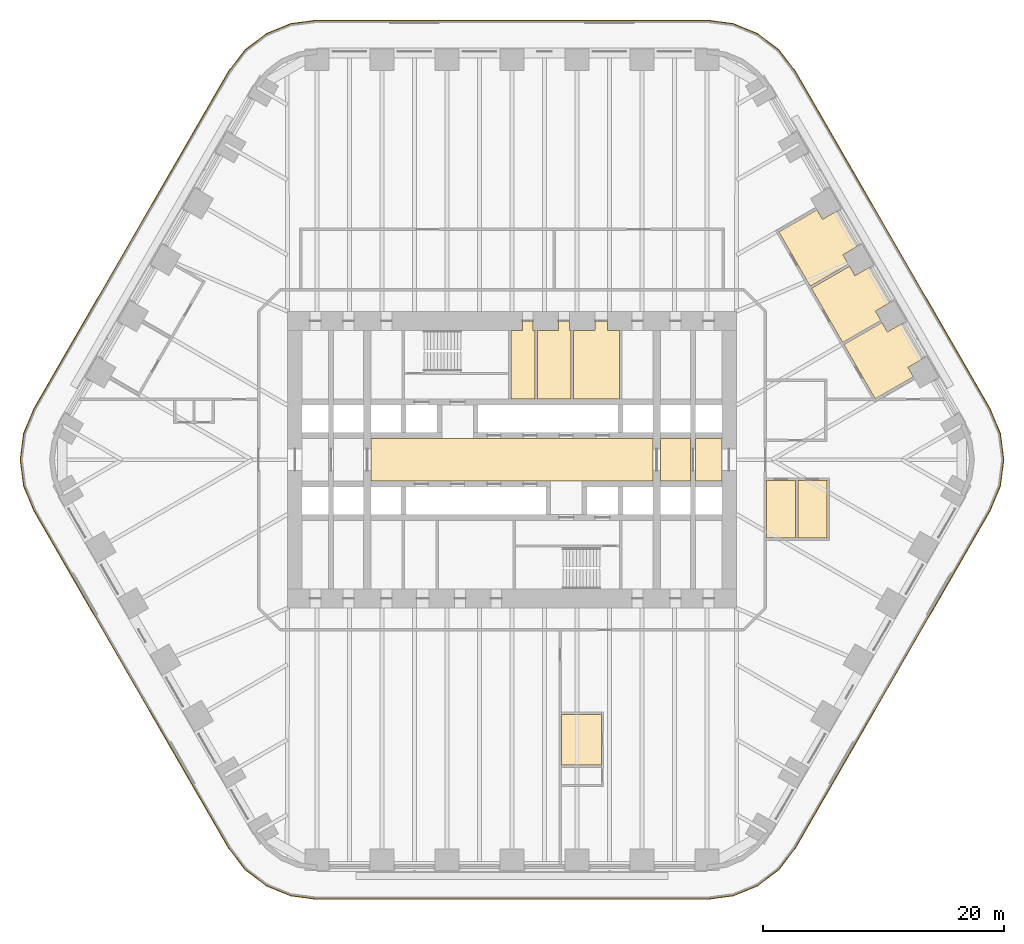
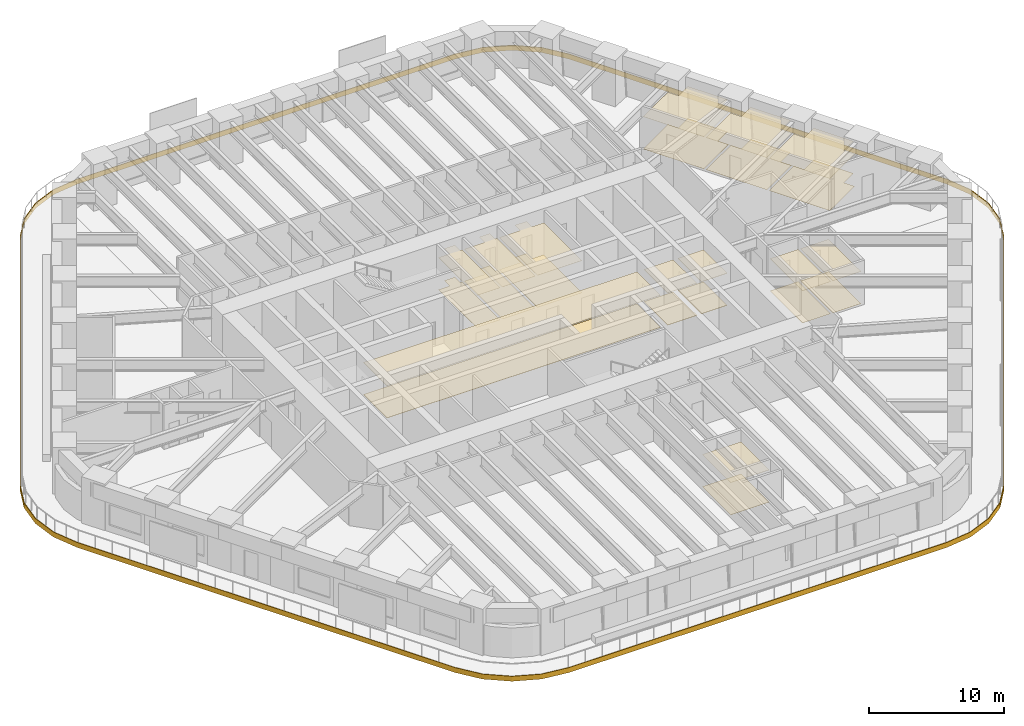
# One storey, part 22 of 23: 15 coverings.
"""IFC4 building model written with IfcOpenShell, lengths in metres."""

from ifc_helpers import new_model, si_unit, direction, frame, origin, place, context, subcontext, project, spatial, polyline, outline, extrude, material, layer, layer_set, type_object, element, save


model = new_model("IFC4")

# Units and contexts
model_context = context("Model", 3, precision=1e-05, world=origin(), true_north=direction((0.0, 1.0)))
body_context = subcontext(model_context, "Body", "Model", "MODEL_VIEW")
ifc_project = project(units=[si_unit("LENGTHUNIT", "METRE"), si_unit("AREAUNIT", "SQUARE_METRE"), si_unit("VOLUMEUNIT", "CUBIC_METRE"), si_unit("PLANEANGLEUNIT", "RADIAN"), si_unit("MASSUNIT", "GRAM", prefix="KILO")], contexts=[model_context])

# Site, building, storey
site_placement = place(None, origin())
site = spatial("IfcSite", under=ifc_project, at=site_placement, CompositionType="ELEMENT")
building_placement = place(site_placement, origin())
building = spatial("IfcBuilding", under=site, at=building_placement, Name="Tarfa Lantern Tower", CompositionType="ELEMENT")
storey_placement = place(building_placement, frame((0.0, 0.0, 48.699951171875)))
storey = spatial("IfcBuildingStorey", under=building, at=storey_placement, Name="L10", CompositionType="ELEMENT", Elevation=48.699951171875)

# Coverings
ifc_material_1 = material(Name="Mineral fibre acoustic tile on suspension grid", Category="finish")
ifc_layer_1 = layer(ifc_material_1, 0.02001953125)
ifc_layer_set_1 = layer_set([ifc_layer_1], Name="CL1 ACOUSTIC TILE CEILING 20")
covering_type_1 = type_object("IfcCoveringType", Name="CL1 ACOUSTIC TILE CEILING 20", PredefinedType="CEILING", material=ifc_layer_set_1)
covering_1_placement = place(storey_placement, frame((0.0, 0.0, 2.900146484375)))
element("IfcCovering", 1, at=covering_1_placement, inside=storey, type_object=covering_type_1, Name="Ceiling L10 CL1", PredefinedType="CEILING", context=body_context, shape_type="SweptSolid", body=[
    extrude(outline(polyline([(27.5126953125, 9.546630859375), (30.673583984375, 11.371826171875), (31.12353515625, 10.59228515625), (32.3359375, 11.292236328125), (34.0302734375, 8.357666015625), (32.81787109375, 7.65771484375), (33.267822265625, 6.878173828125), (30.10693359375, 5.05322265625), (27.5126953125, 9.546630859375)])), origin(), (0.0, 0.0, 1.0), 0.02001953125),
    extrude(outline(polyline([(24.818359375, 14.21337890625), (27.979248046875, 16.038330078125), (28.42919921875, 15.259033203125), (29.641845703125, 15.958984375), (31.3359375, 13.0244140625), (30.12353515625, 12.324462890625), (30.57373046875, 11.544921875), (27.41259765625, 9.719970703125), (24.818359375, 14.21337890625)])), origin(), (0.0, 0.0, 1.0), 0.02001953125),
    extrude(outline(polyline([(22.1240234375, 18.880126953125), (25.284912109375, 20.705078125), (25.735107421875, 19.925537109375), (26.947509765625, 20.625732421875), (28.641845703125, 17.69091796875), (27.42919921875, 16.990966796875), (27.87939453125, 16.211669921875), (24.71826171875, 14.38671875), (22.1240234375, 18.880126953125)])), origin(), (0.0, 0.0, 1.0), 0.02001953125),
    extrude(outline(polyline([(21.10009765625, -1.699951171875), (23.5, -1.699951171875), (23.5, -6.5), (21.10009765625, -6.5), (21.10009765625, -1.699951171875)])), origin(), (0.0, 0.0, 1.0), 0.02001953125),
    extrude(outline(polyline([(23.699951171875, -1.699951171875), (26.10009765625, -1.699951171875), (26.10009765625, -6.5), (23.699951171875, -6.5), (23.699951171875, -1.699951171875)])), origin(), (0.0, 0.0, 1.0), 0.02001953125),
    extrude(outline(polyline([(7.39990234375, -25.300048828125), (4.10009765625, -25.300048828125), (4.10009765625, -21.10009765625), (7.39990234375, -21.10009765625), (7.39990234375, -25.300048828125)])), origin(), (0.0, 0.0, 1.0), 0.02001953125),
])
ifc_material_2 = material(Name="Moisture-resistant plasterboard", Category="finish")
ifc_layer_2 = layer(ifc_material_2, 0.014892578125)
ifc_layer_set_2 = layer_set([ifc_layer_2], Name="CL2 MOISTURE-RESISTANT PLASTERBOARD CEILING 15")
covering_type_2 = type_object("IfcCoveringType", Name="CL2 MOISTURE-RESISTANT PLASTERBOARD CEILING 15", PredefinedType="CEILING", material=ifc_layer_set_2)
covering_2_placement = place(storey_placement, frame((0.0, 0.0, 2.900146484375)))
element("IfcCovering", 2, at=covering_2_placement, inside=storey, type_object=covering_type_2, Name="Ceiling L10-09", PredefinedType="CEILING", context=body_context, shape_type="SweptSolid", body=[
    extrude(outline(polyline([(0.85009765625, 10.699951171875), (-0.10009765625, 10.699951171875), (-0.10009765625, 5.050048828125), (1.89990234375, 5.050048828125), (1.89990234375, 10.699951171875), (1.75, 10.699951171875), (1.75, 11.5), (1.75, 11.5), (0.85009765625, 11.5), (0.85009765625, 10.699951171875)])), origin(), (0.0, 0.0, 1.0), 0.014892578125),
])
covering_3_placement = place(storey_placement, frame((0.0, 0.0, 2.900146484375)))
element("IfcCovering", 3, at=covering_3_placement, inside=storey, type_object=covering_type_2, Name="Ceiling L10-10", PredefinedType="CEILING", context=body_context, shape_type="SweptSolid", body=[
    extrude(outline(polyline([(2.10009765625, 5.050048828125), (4.89990234375, 5.050048828125), (4.89990234375, 10.699951171875), (4.75, 10.699951171875), (4.75, 11.5), (3.85009765625, 11.5), (3.85009765625, 10.699951171875), (2.10009765625, 10.699951171875), (2.10009765625, 5.050048828125)])), origin(), (0.0, 0.0, 1.0), 0.014892578125),
])
covering_4_placement = place(storey_placement, frame((0.0, 0.0, 2.900146484375)))
element("IfcCovering", 4, at=covering_4_placement, inside=storey, type_object=covering_type_2, Name="Ceiling L10-11", PredefinedType="CEILING", context=body_context, shape_type="SweptSolid", body=[
    extrude(outline(polyline([(5.10009765625, 5.050048828125), (8.89990234375, 5.050048828125), (8.89990234375, 10.699951171875), (7.89990234375, 10.699951171875), (7.89990234375, 11.5), (6.89990234375, 11.5), (6.89990234375, 10.699951171875), (5.10009765625, 10.699951171875), (5.10009765625, 5.050048828125)])), origin(), (0.0, 0.0, 1.0), 0.014892578125),
])
ifc_material_3 = material(Name="Powder-coated aluminium panel", Category="aluminium")
ifc_layer_3 = layer(ifc_material_3, 0.030029296875)
ifc_layer_set_3 = layer_set([ifc_layer_3], Name="CL3 METAL PANEL CEILING 30")
covering_type_3 = type_object("IfcCoveringType", Name="CL3 METAL PANEL CEILING 30", PredefinedType="CEILING", material=ifc_layer_set_3)
covering_5_placement = place(storey_placement, frame((0.0, 0.0, 2.900146484375)))
element("IfcCovering", 5, at=covering_5_placement, inside=storey, type_object=covering_type_3, Name="Ceiling L10-03", PredefinedType="CEILING", context=body_context, shape_type="SweptSolid", body=[
    extrude(outline(polyline([(-11.699951171875, -1.75), (11.699951171875, -1.75), (11.699951171875, 1.75), (-11.699951171875, 1.75), (-11.699951171875, -1.75)])), origin(), (0.0, 0.0, 1.0), 0.02978515625),
])
covering_6_placement = place(storey_placement, frame((0.0, 0.0, 2.900146484375)))
element("IfcCovering", 6, at=covering_6_placement, inside=storey, type_object=covering_type_3, Name="Ceiling L10-04", PredefinedType="CEILING", context=body_context, shape_type="SweptSolid", body=[
    extrude(outline(polyline([(12.300048828125, -1.75), (14.800048828125, -1.75), (14.800048828125, 1.75), (12.300048828125, 1.75), (12.300048828125, -1.75)])), origin(), (0.0, 0.0, 1.0), 0.02978515625),
])
covering_7_placement = place(storey_placement, frame((0.0, 0.0, 2.900146484375)))
element("IfcCovering", 7, at=covering_7_placement, inside=storey, type_object=covering_type_3, Name="Ceiling L10-05", PredefinedType="CEILING", context=body_context, shape_type="SweptSolid", body=[
    extrude(outline(polyline([(15.199951171875, -1.75), (17.39990234375, -1.75), (17.39990234375, 1.75), (15.199951171875, 1.75), (15.199951171875, -1.75)])), origin(), (0.0, 0.0, 1.0), 0.02978515625),
])
ifc_material_4 = material(Name="Nylon carpet tile", Category="finish")
ifc_layer_4 = layer(ifc_material_4, 0.010009765625)
ifc_layer_set_4 = layer_set([ifc_layer_4], Name="FL1 CARPET TILE 10")
covering_type_4 = type_object("IfcCoveringType", Name="FL1 CARPET TILE 10", PredefinedType="FLOORING", material=ifc_layer_set_4)
covering_8_placement = place(storey_placement, origin())
element("IfcCovering", 8, at=covering_8_placement, inside=storey, type_object=covering_type_4, Name="Floor finish L10 FL1", PredefinedType="FLOORING", context=body_context, shape_type="SweptSolid", body=[
    extrude(outline(polyline([(27.5126953125, 9.546630859375), (30.673583984375, 11.371826171875), (31.12353515625, 10.59228515625), (32.3359375, 11.292236328125), (34.0302734375, 8.357666015625), (32.81787109375, 7.65771484375), (33.267822265625, 6.878173828125), (30.10693359375, 5.05322265625), (27.5126953125, 9.546630859375)])), origin(), (0.0, 0.0, 1.0), 0.010009765625),
    extrude(outline(polyline([(24.818359375, 14.21337890625), (27.979248046875, 16.038330078125), (28.42919921875, 15.259033203125), (29.641845703125, 15.958984375), (31.3359375, 13.0244140625), (30.12353515625, 12.324462890625), (30.57373046875, 11.544921875), (27.41259765625, 9.719970703125), (24.818359375, 14.21337890625)])), origin(), (0.0, 0.0, 1.0), 0.010009765625),
    extrude(outline(polyline([(22.1240234375, 18.880126953125), (25.284912109375, 20.705078125), (25.735107421875, 19.925537109375), (26.947509765625, 20.625732421875), (28.641845703125, 17.69091796875), (27.42919921875, 16.990966796875), (27.87939453125, 16.211669921875), (24.71826171875, 14.38671875), (22.1240234375, 18.880126953125)])), origin(), (0.0, 0.0, 1.0), 0.010009765625),
    extrude(outline(polyline([(21.10009765625, -1.699951171875), (23.5, -1.699951171875), (23.5, -6.5), (21.10009765625, -6.5), (21.10009765625, -1.699951171875)])), origin(), (0.0, 0.0, 1.0), 0.010009765625),
    extrude(outline(polyline([(23.699951171875, -1.699951171875), (26.10009765625, -1.699951171875), (26.10009765625, -6.5), (23.699951171875, -6.5), (23.699951171875, -1.699951171875)])), origin(), (0.0, 0.0, 1.0), 0.010009765625),
    extrude(outline(polyline([(7.39990234375, -25.300048828125), (4.10009765625, -25.300048828125), (4.10009765625, -21.10009765625), (7.39990234375, -21.10009765625), (7.39990234375, -25.300048828125)])), origin(), (0.0, 0.0, 1.0), 0.010009765625),
])
ifc_material_5 = material(Name="Honed limestone flooring", Category="masonry")
ifc_layer_5 = layer(ifc_material_5, 0.030029296875)
ifc_layer_set_5 = layer_set([ifc_layer_5], Name="FL2 STONE FLOORING 30")
covering_type_5 = type_object("IfcCoveringType", Name="FL2 STONE FLOORING 30", PredefinedType="FLOORING", material=ifc_layer_set_5)
covering_9_placement = place(storey_placement, origin())
element("IfcCovering", 9, at=covering_9_placement, inside=storey, type_object=covering_type_5, Name="Floor finish L10-03", PredefinedType="FLOORING", context=body_context, shape_type="SweptSolid", body=[
    extrude(outline(polyline([(-11.699951171875, -1.75), (11.699951171875, -1.75), (11.699951171875, 1.75), (-11.699951171875, 1.75), (-11.699951171875, -1.75)])), origin(), (0.0, 0.0, 1.0), 0.030029296875),
])
covering_10_placement = place(storey_placement, origin())
element("IfcCovering", 10, at=covering_10_placement, inside=storey, type_object=covering_type_5, Name="Floor finish L10-04", PredefinedType="FLOORING", context=body_context, shape_type="SweptSolid", body=[
    extrude(outline(polyline([(12.300048828125, -1.75), (14.800048828125, -1.75), (14.800048828125, 1.75), (12.300048828125, 1.75), (12.300048828125, -1.75)])), origin(), (0.0, 0.0, 1.0), 0.030029296875),
])
covering_11_placement = place(storey_placement, origin())
element("IfcCovering", 11, at=covering_11_placement, inside=storey, type_object=covering_type_5, Name="Floor finish L10-05", PredefinedType="FLOORING", context=body_context, shape_type="SweptSolid", body=[
    extrude(outline(polyline([(15.199951171875, -1.75), (17.39990234375, -1.75), (17.39990234375, 1.75), (15.199951171875, 1.75), (15.199951171875, -1.75)])), origin(), (0.0, 0.0, 1.0), 0.030029296875),
])
ifc_material_6 = material(Name="Porcelain floor tile", Category="finish")
ifc_layer_6 = layer(ifc_material_6, 0.011962890625)
ifc_layer_set_6 = layer_set([ifc_layer_6], Name="FL3 CERAMIC TILE 12")
covering_type_6 = type_object("IfcCoveringType", Name="FL3 CERAMIC TILE 12", PredefinedType="FLOORING", material=ifc_layer_set_6)
covering_12_placement = place(storey_placement, origin())
element("IfcCovering", 12, at=covering_12_placement, inside=storey, type_object=covering_type_6, Name="Floor finish L10-09", PredefinedType="FLOORING", context=body_context, shape_type="SweptSolid", body=[
    extrude(outline(polyline([(0.85009765625, 10.699951171875), (-0.10009765625, 10.699951171875), (-0.10009765625, 5.050048828125), (1.89990234375, 5.050048828125), (1.89990234375, 10.699951171875), (1.75, 10.699951171875), (1.75, 11.5), (1.75, 11.5), (0.85009765625, 11.5), (0.85009765625, 10.699951171875)])), origin(), (0.0, 0.0, 1.0), 0.011962890625),
])
covering_13_placement = place(storey_placement, origin())
element("IfcCovering", 13, at=covering_13_placement, inside=storey, type_object=covering_type_6, Name="Floor finish L10-10", PredefinedType="FLOORING", context=body_context, shape_type="SweptSolid", body=[
    extrude(outline(polyline([(2.10009765625, 5.050048828125), (4.89990234375, 5.050048828125), (4.89990234375, 10.699951171875), (4.75, 10.699951171875), (4.75, 11.5), (3.85009765625, 11.5), (3.85009765625, 10.699951171875), (2.10009765625, 10.699951171875), (2.10009765625, 5.050048828125)])), origin(), (0.0, 0.0, 1.0), 0.011962890625),
])
covering_14_placement = place(storey_placement, origin())
element("IfcCovering", 14, at=covering_14_placement, inside=storey, type_object=covering_type_6, Name="Floor finish L10-11", PredefinedType="FLOORING", context=body_context, shape_type="SweptSolid", body=[
    extrude(outline(polyline([(5.10009765625, 5.050048828125), (8.89990234375, 5.050048828125), (8.89990234375, 10.699951171875), (7.89990234375, 10.699951171875), (7.89990234375, 11.5), (6.89990234375, 11.5), (6.89990234375, 10.699951171875), (5.10009765625, 10.699951171875), (5.10009765625, 5.050048828125)])), origin(), (0.0, 0.0, 1.0), 0.011962890625),
])
ifc_material_7 = material(Name="Limestone cladding on brackets", Category="masonry")
ifc_layer_7 = layer(ifc_material_7, 0.050048828125)
ifc_layer_set_7 = layer_set([ifc_layer_7], Name="SB1 STONE BAND CLADDING 50")
covering_type_7 = type_object("IfcCoveringType", Name="SB1 STONE BAND CLADDING 50", PredefinedType="CLADDING", material=ifc_layer_set_7)
covering_15_placement = place(storey_placement, frame((0.0, 0.0, -0.39990234375)))
element("IfcCovering", 15, at=covering_15_placement, inside=storey, type_object=covering_type_7, Name="Stone band", PredefinedType="CLADDING", context=body_context, shape_type="SweptSolid", body=[
    extrude(outline(polyline([(39.6494140625, 4.22509765625), (23.483642578125, 32.22509765625), (22.140869140625, 33.97509765625), (20.390869140625, 35.31787109375), (18.352783203125, 36.162109375), (16.165771484375, 36.449951171875), (-16.165771484375, 36.449951171875), (-18.352783203125, 36.162109375), (-20.390869140625, 35.31787109375), (-22.140869140625, 33.97509765625), (-23.483642578125, 32.22509765625), (-39.6494140625, 4.22509765625), (-40.49365234375, 2.18701171875), (-40.781494140625, 0.0), (-40.49365234375, -2.18701171875), (-39.6494140625, -4.22509765625), (-23.483642578125, -32.22509765625), (-22.140869140625, -33.97509765625), (-20.390869140625, -35.31787109375), (-18.352783203125, -36.162109375), (-16.165771484375, -36.449951171875), (16.165771484375, -36.449951171875), (18.352783203125, -36.162109375), (20.390869140625, -35.31787109375), (22.140869140625, -33.97509765625), (23.483642578125, -32.22509765625), (39.6494140625, -4.22509765625), (40.49365234375, -2.18701171875), (40.781494140625, 0.0), (40.49365234375, 2.18701171875), (39.6494140625, 4.22509765625)]), holes=[polyline([(39.606201171875, 4.199951171875), (23.4404296875, 32.199951171875), (22.10546875, 33.939697265625), (20.36572265625, 35.274658203125), (18.33984375, 36.11376953125), (16.165771484375, 36.39990234375), (-16.165771484375, 36.39990234375), (-18.33984375, 36.11376953125), (-20.36572265625, 35.274658203125), (-22.10546875, 33.939697265625), (-23.4404296875, 32.199951171875), (-39.606201171875, 4.199951171875), (-40.4453125, 2.174072265625), (-40.731689453125, 0.0), (-40.4453125, -2.174072265625), (-39.606201171875, -4.199951171875), (-23.4404296875, -32.199951171875), (-22.10546875, -33.939697265625), (-20.36572265625, -35.274658203125), (-18.33984375, -36.11376953125), (-16.165771484375, -36.39990234375), (16.165771484375, -36.39990234375), (18.33984375, -36.11376953125), (20.36572265625, -35.274658203125), (22.10546875, -33.939697265625), (23.4404296875, -32.199951171875), (39.606201171875, -4.199951171875), (40.4453125, -2.174072265625), (40.731689453125, 0.0), (40.4453125, 2.174072265625), (39.606201171875, 4.199951171875)])]), origin(), (0.0, 0.0, 1.0), 0.449951171875),
])

save(model, "model.ifc")
